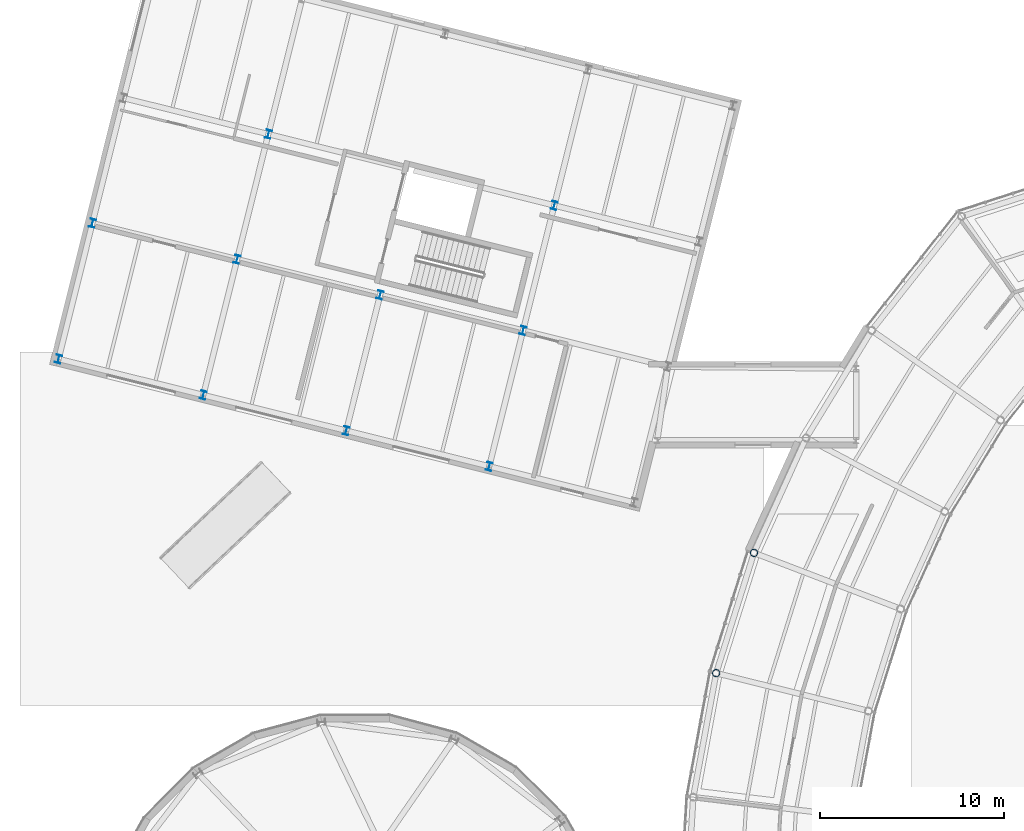
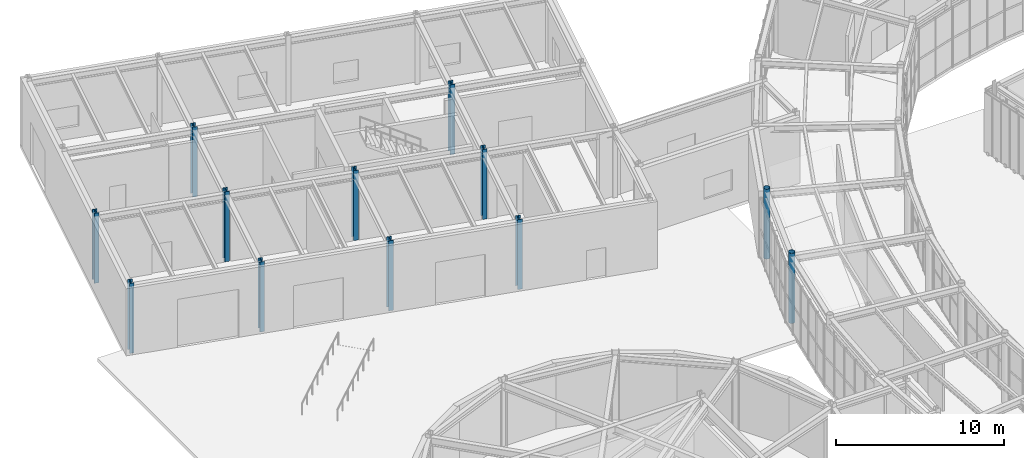
# One storey, part 9 of 97: 12 columns.
"""IFC4 building model written with IfcOpenShell, lengths in metres."""

from ifc_helpers import new_model, si_unit, direction, frame, origin, origin_2d, place, context, subcontext, project, spatial, hollow_circle, i_section, extrude, material, material_profile, profile_set, type_object, element, save


model = new_model("IFC4")

# Units and contexts
model_context = context("Model", 3, precision=1e-05, world=origin(), true_north=direction((0.0, 1.0)))
body_context = subcontext(model_context, "Body", "Model", "MODEL_VIEW")
ifc_project = project(units=[si_unit("LENGTHUNIT", "METRE"), si_unit("AREAUNIT", "SQUARE_METRE"), si_unit("VOLUMEUNIT", "CUBIC_METRE"), si_unit("PLANEANGLEUNIT", "RADIAN"), si_unit("MASSUNIT", "GRAM", prefix="KILO")], contexts=[model_context])

# Site, building, storey
site_placement = place(None, origin())
site = spatial("IfcSite", under=ifc_project, at=site_placement, CompositionType="ELEMENT")
building_placement = place(site_placement, origin())
building = spatial("IfcBuilding", under=site, at=building_placement, Name="Varnklinge Art Gallery", CompositionType="ELEMENT")
storey_placement = place(building_placement, origin())
storey = spatial("IfcBuildingStorey", under=building, at=storey_placement, Name="L00", CompositionType="ELEMENT", Elevation=0.0)

# Columns
ifc_material_1 = material(Name="Steel S355", Category="steel")
ifc_material_profile_1 = material_profile(ifc_material_1, i_section(OverallWidth=0.300048828125, OverallDepth=0.449951171875, WebThickness=0.013916015625, FlangeThickness=0.02587890625, FilletRadius=0.027099609375, at=origin_2d()), Name="HEB 450")
ifc_profile_set_1 = profile_set([ifc_material_profile_1], Name="Steel S355")
column_type_1 = type_object("IfcColumnType", Name="COL-06", PredefinedType="COLUMN", material=ifc_profile_set_1)
for number, where, z_axis, x_axis, name in (
    (1, (15.390869140625, 91.039306640625, 0.0), (0.0, 0.0, 1.0), (0.970295726276, -0.2419218956, 0.0), "L00 Column V5C-2-2"),
    (2, (17.08447265625, 97.831298828125, 0.0), (0.0, 0.0, 1.0), (0.970295726276, -0.2419218956, 0.0), "L00 Column V5C-2-3"),
    (3, (23.1533203125, 89.10400390625, 0.0), (0.0, 0.0, 1.0), (0.970295726276, -0.2419218956, 0.0), "L00 Column V5C-3-2"),
    (4, (30.91552734375, 87.168701171875, 0.0), (0.0, 0.0, 1.0), (0.970295726276, -0.2419218956, 0.0), "L00 Column V5C-4-2"),
    (5, (32.609130859375, 93.960693359375, 0.0), (0.0, 0.0, 1.0), (0.970295726276, -0.2419218956, 0.0), "L00 Column V5C-4-3"),
):
    element("IfcColumn", number, at=place(storey_placement, frame(where, z_axis=z_axis, x_axis=x_axis)), inside=storey, type_object=column_type_1, Name=name, PredefinedType="COLUMN", context=body_context, shape_type="SweptSolid", body=[
        extrude(i_section(OverallWidth=0.300048828125, OverallDepth=0.449951171875, WebThickness=0.013916015625, FlangeThickness=0.02587890625, FilletRadius=0.027099609375, at=origin_2d()), origin(), (0.0, 0.0, 1.0), 5.10009765625),
    ])
ifc_material_2 = material(Name="Steel S355", Category="steel")
ifc_material_profile_2 = material_profile(ifc_material_2, i_section(OverallWidth=0.300048828125, OverallDepth=0.449951171875, WebThickness=0.013916015625, FlangeThickness=0.02587890625, FilletRadius=0.027099609375, at=origin_2d()), Name="HEB 450")
ifc_profile_set_2 = profile_set([ifc_material_profile_2], Name="Steel S355")
column_type_2 = type_object("IfcColumnType", Name="COL-E2", PredefinedType="COLUMN", material=ifc_profile_set_2)
for number, where, z_axis, x_axis, name in (
    (6, (5.69287109375, 85.624755859375, 0.0), (0.0, 0.0, 1.0), (0.970295726276, -0.2419218956, 0.0), "L00 Column V5C-1-1"),
    (7, (7.531494140625, 92.998779296875, 0.0), (0.0, 0.0, 1.0), (0.970295726276, -0.2419218956, 0.0), "L00 Column V5C-1-2"),
    (8, (13.55224609375, 83.6650390625, 0.0), (0.0, 0.0, 1.0), (0.970295726276, -0.2419218956, 0.0), "L00 Column V5C-2-1"),
    (9, (21.314697265625, 81.729736328125, 0.0), (0.0, 0.0, 1.0), (0.970295726276, -0.2419218956, 0.0), "L00 Column V5C-3-1"),
    (10, (29.076904296875, 79.794189453125, 0.0), (0.0, 0.0, 1.0), (0.970295726276, -0.2419218956, 0.0), "L00 Column V5C-4-1"),
):
    element("IfcColumn", number, at=place(storey_placement, frame(where, z_axis=z_axis, x_axis=x_axis)), inside=storey, type_object=column_type_2, Name=name, PredefinedType="COLUMN", context=body_context, shape_type="SweptSolid", body=[
        extrude(i_section(OverallWidth=0.300048828125, OverallDepth=0.449951171875, WebThickness=0.013916015625, FlangeThickness=0.02587890625, FilletRadius=0.027099609375, at=origin_2d()), origin(), (0.0, 0.0, 1.0), 5.10009765625),
    ])
ifc_material_3 = material(Name="Steel S355", Category="steel")
ifc_material_profile_3 = material_profile(ifc_material_3, hollow_circle(Radius=0.203125, WallThickness=0.02001953125, at=origin_2d()), Name="CHS 406.4x20")
ifc_profile_set_3 = profile_set([ifc_material_profile_3], Name="Steel S355")
column_type_3 = type_object("IfcColumnType", Name="COL-E5", PredefinedType="COLUMN", material=ifc_profile_set_3)
for number, where, z_axis, x_axis, name in (
    (11, (43.45361328125, 75.09716796875, 0.0), (0.0, 0.0, 1.0), (0.934017558691, -0.357227098715, 0.0), "L00 Column V2CO-24"),
    (12, (41.401611328125, 68.56591796875, 0.0), (0.0, 0.0, 1.0), (0.970506473469, -0.241075060833, 0.0), "L00 Column V2CO-25"),
):
    element("IfcColumn", number, at=place(storey_placement, frame(where, z_axis=z_axis, x_axis=x_axis)), inside=storey, type_object=column_type_3, Name=name, PredefinedType="COLUMN", context=body_context, shape_type="SweptSolid", body=[
        extrude(hollow_circle(Radius=0.203125, WallThickness=0.02001953125, at=origin_2d()), origin(), (0.0, 0.0, 1.0), 5.10009765625),
    ])

save(model, "model.ifc")
